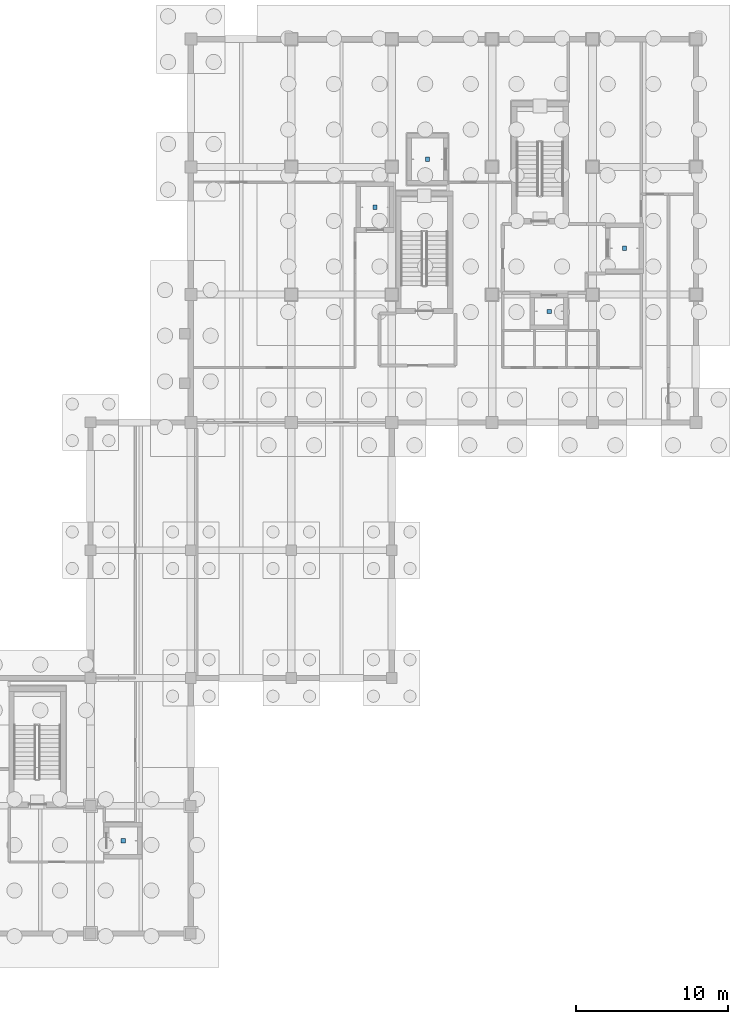
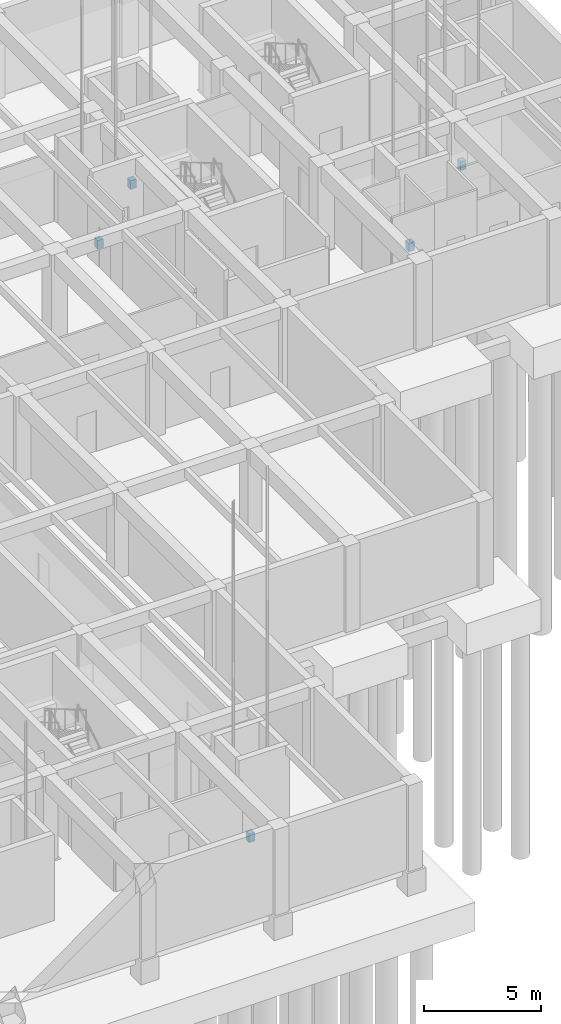
# One storey, part 41 of 44: 5 discrete accessories.
"""IFC4 building model written with IfcOpenShell, lengths in metres."""

from ifc_helpers import new_model, si_unit, direction, frame, origin, origin_2d, place, context, subcontext, project, spatial, rectangle, extrude, material, type_object, element, save


model = new_model("IFC4")

# Units and contexts
model_context = context("Model", 3, precision=1e-05, world=origin(), true_north=direction((0.0, 1.0)))
body_context = subcontext(model_context, "Body", "Model", "MODEL_VIEW")
ifc_project = project(units=[si_unit("LENGTHUNIT", "METRE"), si_unit("AREAUNIT", "SQUARE_METRE"), si_unit("VOLUMEUNIT", "CUBIC_METRE"), si_unit("PLANEANGLEUNIT", "RADIAN"), si_unit("MASSUNIT", "GRAM", prefix="KILO")], contexts=[model_context])

# Site, building, storey
site_placement = place(None, origin())
site = spatial("IfcSite", under=ifc_project, at=site_placement, CompositionType="ELEMENT")
building_placement = place(site_placement, origin())
building = spatial("IfcBuilding", under=site, at=building_placement, Name="Kolvaren Faculty of Natural Sciences", CompositionType="ELEMENT")
storey_placement = place(building_placement, frame((0.0, 0.0, -4.5)))
storey = spatial("IfcBuildingStorey", under=building, at=storey_placement, Name="B01", CompositionType="ELEMENT", Elevation=-4.5)

# Discrete accessories
ifc_material = material(Name="Structural steel EN 10025-2 S355J2", Category="steel")
discrete_accessory_type = type_object("IfcDiscreteAccessoryType", Name="LiftPitBuffer_Spring", PredefinedType="USERDEFINED", material=ifc_material)
for number, where, z_axis, x_axis, name in (
    (1, (167.300048828125, 70.449951171875, -0.81982421875), (0.0, 0.0, 1.0), (1.0, 0.0, 0.0), "Lift FL-1 hydraulic pit buffer"),
    (2, (162.35009765625, 66.300048828125, -0.81982421875), (0.0, 0.0, 1.0), (1.0, 0.0, 0.0), "Lift PL-1 hydraulic pit buffer"),
    (3, (150.89990234375, 73.14990234375, -0.81982421875), (0.0, 0.0, 1.0), (1.0, 0.0, 0.0), "Lift FL-2 hydraulic pit buffer"),
    (4, (154.35009765625, 76.300048828125, -0.81982421875), (0.0, 0.0, 1.0), (1.0, 0.0, 0.0), "Lift GL-2 hydraulic pit buffer"),
    (5, (134.35009765625, 31.5, -0.81982421875), (0.0, 0.0, 1.0), (1.0, 0.0, 0.0), "Lift PL-3 hydraulic pit buffer"),
):
    element("IfcDiscreteAccessory", number, at=place(storey_placement, frame(where, z_axis=z_axis, x_axis=x_axis)), inside=storey, type_object=discrete_accessory_type, Name=name, ObjectType="BUFFER", PredefinedType="USERDEFINED", context=body_context, shape_type="SweptSolid", body=[
        extrude(rectangle(XDim=0.280029296875, YDim=0.280029296875, at=origin_2d()), origin(), (0.0, 0.0, 1.0), 0.449951171875),
    ])

save(model, "model.ifc")
